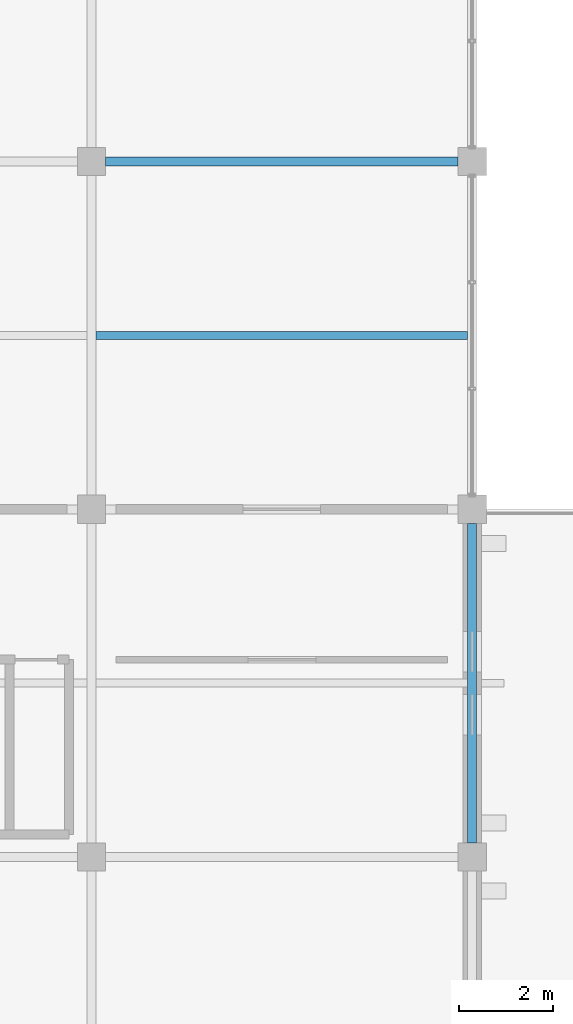
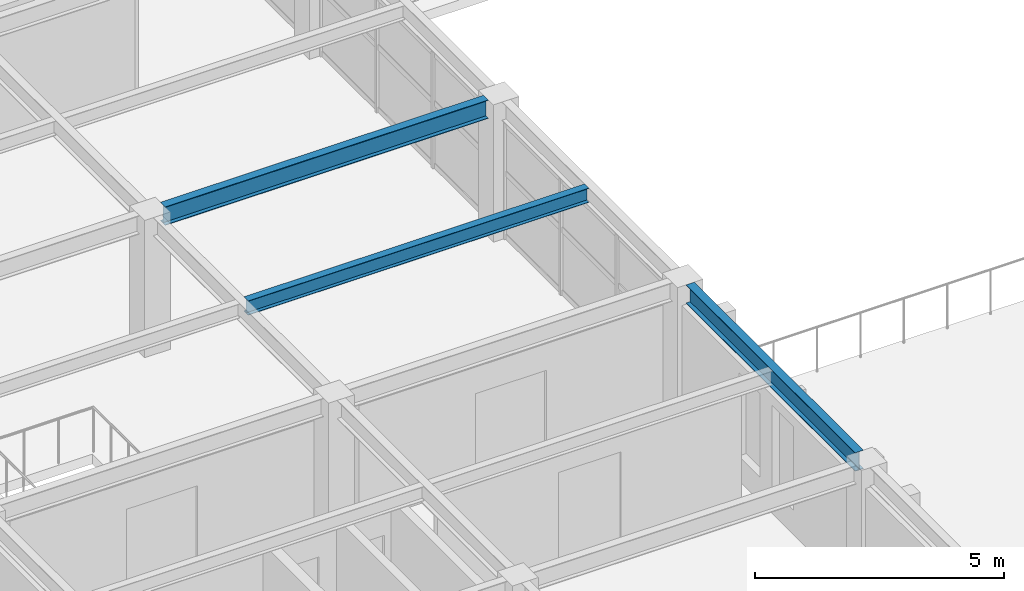
# One storey, part 17 of 121: 3 beams.
"""IFC4 building model written with IfcOpenShell, lengths in metres."""

import ifcopenshell
import ifcopenshell.guid

model = None  # the IFC model being written
_history = None  # IfcOwnerHistory: only IFC2X3 demands one
_inside = {}  # id of a spatial element -> (the spatial element, [elements in it])
_under = {}  # id of a project, library or spatial element -> (it, [spatial elements below it])
_declared = {}  # id of a project -> (the project, [libraries it declares])
_typed = {}  # id of a type object -> (the type object, [elements of that type])
_made_of = {}  # id of a material, layer set ... -> (it, [elements and type objects made of it])


def new_model(schema):
    """Start an empty IFC model of exactly this schema.

    Asked for "IFC4X3", IfcOpenShell would pick the latest addendum, in which some entities
    have other attributes; the version numbers below select the first issue.
    IFC2X3 requires an IfcOwnerHistory on every rooted entity: one is made here for all.
    """
    global model, _history
    if schema == "IFC4X3":
        model = ifcopenshell.file(schema_version=(4, 3, 0, 0))
    else:
        model = ifcopenshell.file(schema=schema)
    _inside.clear()
    _under.clear()
    _declared.clear()
    _typed.clear()
    _made_of.clear()
    _history = None
    if model.schema == "IFC2X3":
        org = make("IfcOrganization", Name="unknown")
        user = make(
            "IfcPersonAndOrganization",
            ThePerson=make("IfcPerson", FamilyName="unknown"),
            TheOrganization=org,
        )
        app = make(
            "IfcApplication",
            ApplicationDeveloper=org,
            Version="unknown",
            ApplicationFullName="unknown",
            ApplicationIdentifier="unknown",
        )
        _history = make(
            "IfcOwnerHistory",
            OwningUser=user,
            OwningApplication=app,
            ChangeAction="ADDED",
            CreationDate=0,
        )
    return model


def make(cls, **values):
    """One entity of the class cls with the attributes given. An attribute that is None is left unset."""
    return model.create_entity(
        cls, **{name: value for name, value in values.items() if value is not None}
    )


def rooted(cls, **values):
    """An entity with a GlobalId (a new one), such as an element, a storey or a relation."""
    return make(cls, GlobalId=ifcopenshell.guid.new(), OwnerHistory=_history, **values)


def si_unit(unit_type, name, prefix=None):
    """IfcSIUnit, for example si_unit("LENGTHUNIT", "METRE", prefix="MILLI")."""
    return make("IfcSIUnit", UnitType=unit_type, Prefix=prefix, Name=name)


def assignment(units):
    """IfcUnitAssignment: the units of a project."""
    return None if units is None else make("IfcUnitAssignment", Units=units)


def point(xyz):
    """IfcCartesianPoint."""
    return None if xyz is None else make("IfcCartesianPoint", Coordinates=xyz)


def direction(xyz):
    """IfcDirection."""
    return None if xyz is None else make("IfcDirection", DirectionRatios=xyz)


def frame(location, z_axis=None, x_axis=None):
    """IfcAxis2Placement3D, a coordinate frame: its origin and axes. An axis left out is left unset."""
    return make(
        "IfcAxis2Placement3D",
        Location=point(location),
        Axis=direction(z_axis),
        RefDirection=direction(x_axis),
    )


def frame_2d(location, x_axis=None):
    """IfcAxis2Placement2D, a coordinate frame in the plane: its origin and x axis."""
    return make(
        "IfcAxis2Placement2D", Location=point(location), RefDirection=direction(x_axis)
    )


def origin():
    """The frame at (0, 0, 0) with its axes left unset."""
    return frame((0.0, 0.0, 0.0))


def origin_2d():
    """The frame at (0, 0) in the plane with its x axis left unset."""
    return frame_2d((0.0, 0.0))


def place(relative_to, where):
    """IfcLocalPlacement: puts the frame where relative to a parent placement (None: the world)."""
    return make(
        "IfcLocalPlacement", PlacementRelTo=relative_to, RelativePlacement=where
    )


def context(
    kind, dimensions, precision=None, world=None, true_north=None, identifier=None
):
    """IfcGeometricRepresentationContext, for example the 3D "Model" context."""
    return make(
        "IfcGeometricRepresentationContext",
        ContextIdentifier=identifier,
        ContextType=kind,
        CoordinateSpaceDimension=dimensions,
        Precision=precision,
        WorldCoordinateSystem=world,
        TrueNorth=true_north,
    )


def subcontext(parent, identifier, kind, view, scale=None):
    """IfcGeometricRepresentationSubContext, for example "Body" below "Model"."""
    return make(
        "IfcGeometricRepresentationSubContext",
        ContextIdentifier=identifier,
        ContextType=kind,
        ParentContext=parent,
        TargetScale=scale,
        TargetView=view,
    )


def project(units=None, contexts=None):
    """IfcProject with its units and contexts."""
    return rooted(
        "IfcProject",
        Name="project",
        RepresentationContexts=contexts,
        UnitsInContext=assignment(units),
    )


def spatial(cls, under=None, at=None, **own):
    """A site, building, storey or space (cls), placed at a placement, below another one or the project."""
    s = rooted(cls, ObjectPlacement=at, **own)
    if under is not None:
        _under.setdefault(under.id(), (under, []))[1].append(s)
    return s


def profile(cls, at=None, kind="AREA", **sizes):
    """A parametric profile (cls). Its sizes go by their IFC names, for example OverallWidth=200.0."""
    return make(cls, ProfileType=kind, Position=at, **sizes)


def i_section(**sizes):
    """IfcIShapeProfileDef."""
    return profile("IfcIShapeProfileDef", **sizes)


def extrude(swept, where, along, depth):
    """IfcExtrudedAreaSolid: the profile swept, set in the frame where, extruded along a direction by depth."""
    return make(
        "IfcExtrudedAreaSolid",
        SweptArea=swept,
        Position=where,
        ExtrudedDirection=direction(along),
        Depth=depth,
    )


def shape(context_of_items, identifier, shape_type, items):
    """IfcShapeRepresentation: the items that make up one representation, for example the "Body"."""
    return make(
        "IfcShapeRepresentation",
        ContextOfItems=context_of_items,
        RepresentationIdentifier=identifier,
        RepresentationType=shape_type,
        Items=items,
    )


def material(Name=None, Category=None):
    """IfcMaterial."""
    return make("IfcMaterial", Name=Name, Category=Category)


def material_profile(
    of_material, cross_section, Name=None, Category=None, Priority=None
):
    """IfcMaterialProfile: a cross section and its material."""
    return make(
        "IfcMaterialProfile",
        Name=Name,
        Material=of_material,
        Profile=cross_section,
        Priority=Priority,
        Category=Category,
    )


def profile_set(profiles, Name=None, composite=None):
    """IfcMaterialProfileSet."""
    return make(
        "IfcMaterialProfileSet",
        Name=Name,
        MaterialProfiles=profiles,
        CompositeProfile=composite,
    )


def made_of(thing, what):
    """Note that an element or type object is made of a material, layer set ...; save() writes the relation."""
    if what is not None:
        _made_of.setdefault(what.id(), (what, []))[1].append(thing)
    return thing


def type_object(cls, material=None, **own):
    """A type object (cls), such as IfcWallType, which elements share."""
    return made_of(rooted(cls, **own), material)


def element(
    cls,
    number,
    at=None,
    inside=None,
    cuts=None,
    type_object=None,
    material=None,
    context=None,
    identifier="Body",
    shape_type=None,
    held_by="IfcProductDefinitionShape",
    body=None,
    shapes=None,
    **own,
):
    """One element of the class cls, such as IfcWall. Its Tag is "e" and its number.

    at: its placement. inside: the storey or other place that contains it. cuts: it is an
    opening in that element (IfcRelVoidsElement). A single representation is given by context,
    identifier, shape_type and body (its items); several are given by shapes. held_by: the class
    of the entity that holds the representations. save() writes the other relations.
    """
    e = rooted(cls, Tag="e%d" % number, ObjectPlacement=at, **own)
    if body is not None:
        shapes = [shape(context, identifier, shape_type, body)]
    if shapes is not None:
        e.Representation = make(held_by, Representations=shapes)
    if inside is not None:
        _inside.setdefault(inside.id(), (inside, []))[1].append(e)
    if cuts is not None:
        rooted(
            "IfcRelVoidsElement", RelatingBuildingElement=cuts, RelatedOpeningElement=e
        )
    if type_object is not None:
        _typed.setdefault(type_object.id(), (type_object, []))[1].append(e)
    return made_of(e, material)


def aggregate(whole, parts):
    """IfcRelAggregates: a whole, such as a stair, and the parts it consists of."""
    return rooted("IfcRelAggregates", RelatingObject=whole, RelatedObjects=parts)


def save(model, path):
    """Write the relations noted so far, then the file.

    IfcRelAggregates (storeys below a building ...), IfcRelContainedInSpatialStructure (elements
    in a storey), IfcRelDefinesByType, IfcRelAssociatesMaterial and IfcRelDeclares: one each for
    every whole, place, type object, material and project.
    """
    for whole, parts in _under.values():
        aggregate(whole, parts)
    for where, things in _inside.values():
        rooted(
            "IfcRelContainedInSpatialStructure",
            RelatedElements=things,
            RelatingStructure=where,
        )
    for kind, things in _typed.values():
        rooted("IfcRelDefinesByType", RelatedObjects=things, RelatingType=kind)
    for what, things in _made_of.values():
        rooted("IfcRelAssociatesMaterial", RelatedObjects=things, RelatingMaterial=what)
    for by, libraries in _declared.values():
        rooted("IfcRelDeclares", RelatingContext=by, RelatedDefinitions=libraries)
    model.write(path)


model = new_model("IFC4")

# Units and contexts
model_context = context("Model", 3, precision=1e-05, world=origin(), true_north=direction((0.0, 1.0)))
body_context = subcontext(model_context, "Body", "Model", "MODEL_VIEW")
ifc_project = project(units=[si_unit("LENGTHUNIT", "METRE"), si_unit("AREAUNIT", "SQUARE_METRE"), si_unit("VOLUMEUNIT", "CUBIC_METRE"), si_unit("PLANEANGLEUNIT", "RADIAN"), si_unit("MASSUNIT", "GRAM", prefix="KILO")], contexts=[model_context])

# Site, building, storey
site_placement = place(None, origin())
site = spatial("IfcSite", under=ifc_project, at=site_placement, CompositionType="ELEMENT")
building_placement = place(site_placement, origin())
building = spatial("IfcBuilding", under=site, at=building_placement, Name="Cimatlan Art Gallery", CompositionType="ELEMENT")
storey_placement = place(building_placement, frame((0.0, 0.0, 10.199951171875)))
storey = spatial("IfcBuildingStorey", under=building, at=storey_placement, Name="L02", CompositionType="ELEMENT", Elevation=10.199951171875)

# Beams
ifc_material = material(Name="Steel ASTM A992 Grade 50", Category="steel")
ifc_material_profile_1 = material_profile(ifc_material, i_section(OverallWidth=0.1708984375, OverallDepth=0.35107421875, WebThickness=0.0068359375, FlangeThickness=0.009765625, at=origin_2d()), Name="W14X30")
ifc_profile_set_1 = profile_set([ifc_material_profile_1], Name="Steel ASTM A992 Grade 50")
beam_type_1 = type_object("IfcBeamType", Name="BM-STL-W14X30", PredefinedType="JOIST", material=ifc_profile_set_1)
beam_1_placement = place(storey_placement, frame((42.595458984375, 42.39990234375, 3.194580078125), z_axis=(1.0, 0.0, 0.0), x_axis=(0.0, 1.0, 0.0)))
element("IfcBeam", 1, at=beam_1_placement, inside=storey, type_object=beam_type_1, Name="JST-L02-05-05", PredefinedType="JOIST", context=body_context, shape_type="SweptSolid", body=[
    extrude(i_section(OverallWidth=0.1708984375, OverallDepth=0.35107421875, WebThickness=0.0068359375, FlangeThickness=0.009765625, at=origin_2d()), origin(), (0.0, 0.0, 1.0), 7.908935546875),
])
ifc_material_profile_2 = material_profile(ifc_material, i_section(OverallWidth=0.19091796875, OverallDepth=0.45703125, WebThickness=0.009033203125, FlangeThickness=0.014404296875, at=origin_2d()), Name="W18X50")
ifc_profile_set_2 = profile_set([ifc_material_profile_2], Name="Steel ASTM A992 Grade 50")
beam_type_2 = type_object("IfcBeamType", Name="BM-STL-W18X50", PredefinedType="BEAM", material=ifc_profile_set_2)
beam_2_placement = place(storey_placement, frame((50.60009765625, 31.60009765625, 3.1416015625), z_axis=(0.0, 1.0, 0.0), x_axis=(-1.0, 0.0, 0.0)))
element("IfcBeam", 2, at=beam_2_placement, inside=storey, type_object=beam_type_2, Name="BM-Y-L02-06-04", PredefinedType="BEAM", context=body_context, shape_type="SweptSolid", body=[
    extrude(i_section(OverallWidth=0.19091796875, OverallDepth=0.45703125, WebThickness=0.009033203125, FlangeThickness=0.014404296875, at=origin_2d()), origin(), (0.0, 0.0, 1.0), 6.7998046875),
])
beam_3_placement = place(storey_placement, frame((42.800048828125, 46.10009765625, 3.1416015625), z_axis=(1.0, 0.0, 0.0), x_axis=(0.0, 1.0, 0.0)))
element("IfcBeam", 3, at=beam_3_placement, inside=storey, type_object=beam_type_2, Name="BM-X-L02-05-06", PredefinedType="BEAM", context=body_context, shape_type="SweptSolid", body=[
    extrude(i_section(OverallWidth=0.19091796875, OverallDepth=0.45703125, WebThickness=0.009033203125, FlangeThickness=0.014404296875, at=origin_2d()), origin(), (0.0, 0.0, 1.0), 7.5),
])

save(model, "model.ifc")
